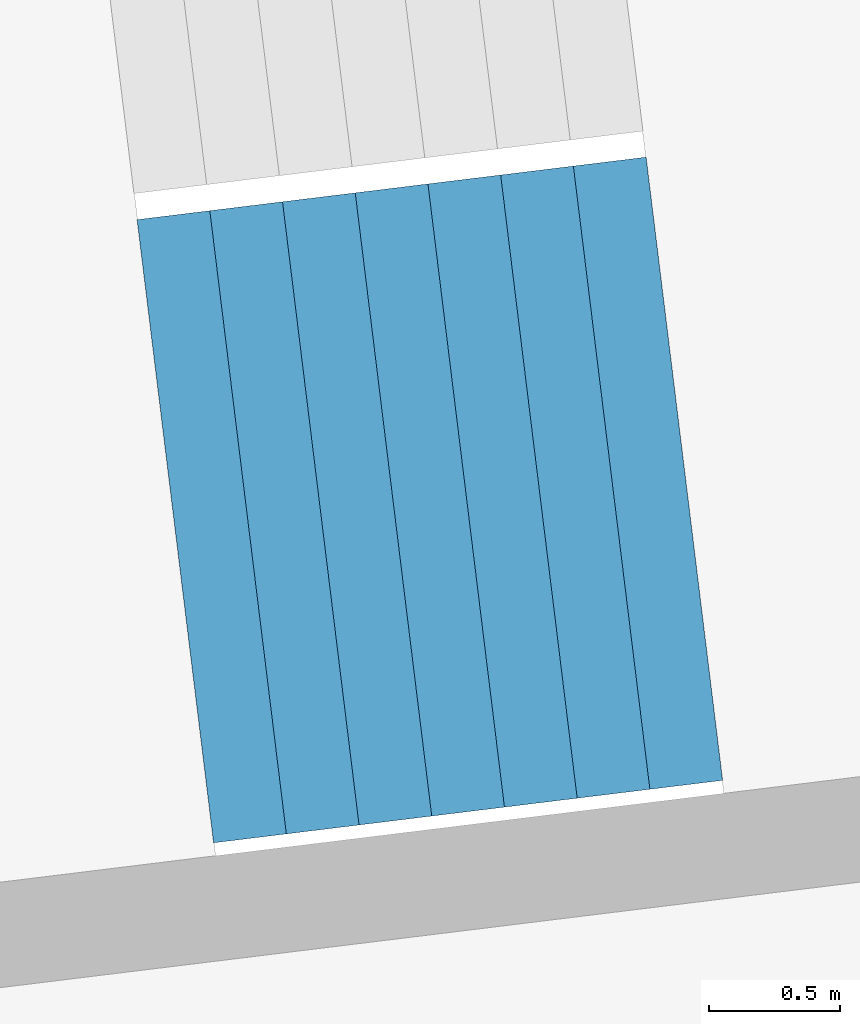
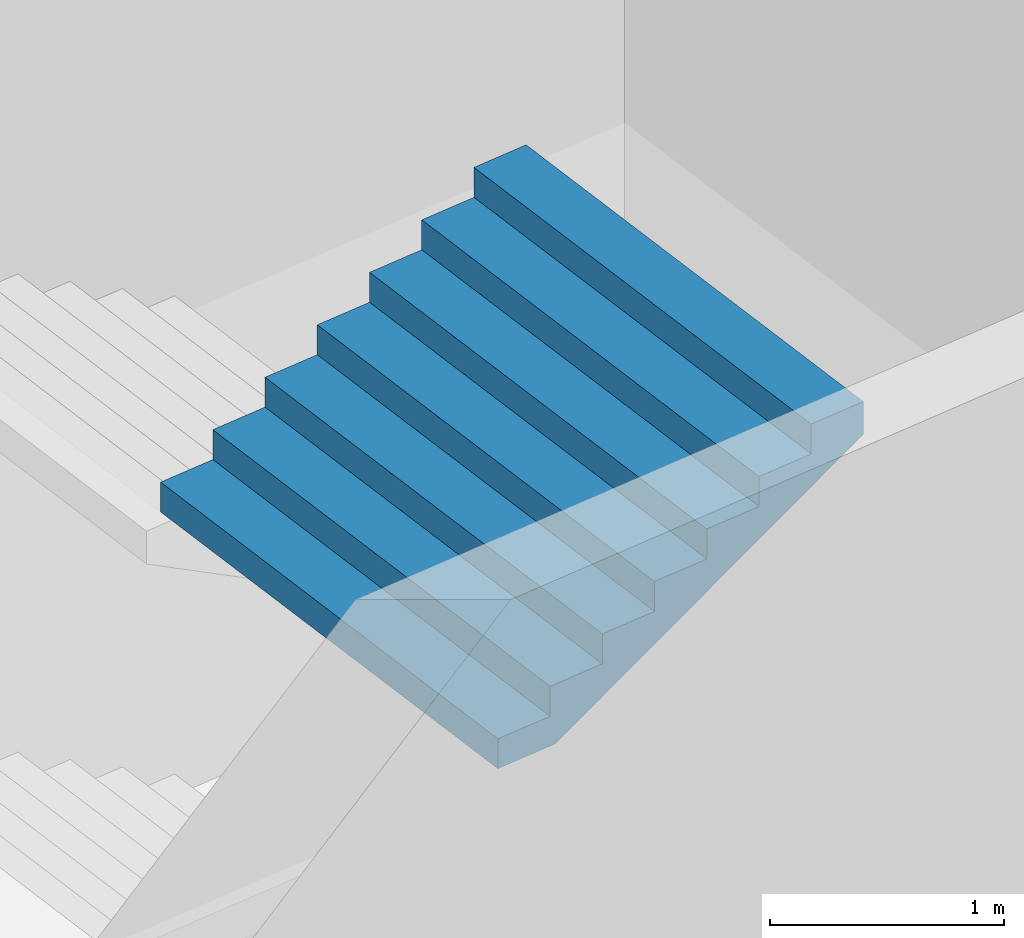
# One storey, part 24 of 73: 1 stair flight, 1 element without a shape of its own.
"""IFC4 building model written with IfcOpenShell, lengths in metres."""

from ifc_helpers import new_model, si_unit, direction, frame, origin, place, context, subcontext, project, spatial, triangles, material, type_object, element, aggregate, save


model = new_model("IFC4")

# Units and contexts
model_context = context("Model", 3, precision=1e-05, world=origin(), true_north=direction((0.0, 1.0)))
body_context = subcontext(model_context, "Body", "Model", "MODEL_VIEW")
ifc_project = project(units=[si_unit("LENGTHUNIT", "METRE"), si_unit("AREAUNIT", "SQUARE_METRE"), si_unit("VOLUMEUNIT", "CUBIC_METRE"), si_unit("PLANEANGLEUNIT", "RADIAN"), si_unit("MASSUNIT", "GRAM", prefix="KILO")], contexts=[model_context])

# Site, building, storey
site_placement = place(None, origin())
site = spatial("IfcSite", under=ifc_project, at=site_placement, CompositionType="ELEMENT")
building_placement = place(site_placement, origin())
building = spatial("IfcBuilding", under=site, at=building_placement, Name="Lantaw Convention Tower", CompositionType="ELEMENT")
storey_placement = place(building_placement, frame((0.0, 0.0, 27.0)))
storey = spatial("IfcBuildingStorey", under=building, at=storey_placement, Name="L04", CompositionType="ELEMENT", Elevation=27.0)

# Stair, stair flight
ifc_material = material(Name="Concrete C35/45", Category="concrete")
stair_type = type_object("IfcStairType", Name="Exit stair 2400 riser 156.25 in 4 flights", PredefinedType="HALF_TURN_STAIR", material=ifc_material)
stair_placement = place(storey_placement, origin())
stair = element("IfcStair", 1, at=stair_placement, inside=storey, type_object=stair_type, Name="Podium exit stair P10 L04", PredefinedType="HALF_TURN_STAIR")
stair_flight_type = type_object("IfcStairFlightType", Name="Stair flight 2400 riser 156.25", PredefinedType="STRAIGHT", material=ifc_material)
stair_flight_placement = place(storey_placement, frame((-36.802978515625, -5.7783203125, 3.75), z_axis=(0.0, 0.0, 1.0), x_axis=(0.992546151641, 0.121869343405, 0.0)))
stair_flight = element("IfcStairFlight", 2, at=stair_flight_placement, type_object=stair_flight_type, Name="P10 flight 4", NumberOfRisers=8, NumberOfTreads=7, PredefinedType="STRAIGHT", RiserHeight=0.15625, TreadLength=0.28, context=body_context, shape_type="Tessellation", body=[
    triangles([(0.0, 1.199951171875, 0.0), (0.0, 1.199951171875, 0.15625), (0.28, 1.199951171875, 0.0), (0.28, 1.199951171875, 0.15625), (0.28, 1.199951171875, 0.3125), (0.3076200632058044, 1.199951171875, 0.0), (0.3076200632058044, 1.199951171875, 0.3125), (0.56, 1.199951171875, 0.14083701830033238), (0.56, 1.199951171875, 0.3125), (0.56, 1.199951171875, 0.46875), (0.8400000000000001, 1.199951171875, 0.29708701830033235), (0.8400000000000001, 1.199951171875, 0.46875), (0.8400000000000001, 1.199951171875, 0.625), (1.12, 1.199951171875, 0.45333701830033235), (1.12, 1.199951171875, 0.625), (1.12, 1.199951171875, 0.78125), (1.4000000000000001, 1.199951171875, 0.6095870183003324), (1.4000000000000001, 1.199951171875, 0.78125), (1.4000000000000001, 1.199951171875, 0.9375), (1.6800000000000002, 1.199951171875, 0.7658370183003324), (1.6800000000000002, 1.199951171875, 0.9375), (1.6800000000000002, 1.199951171875, 1.09375), (1.9600000000000002, 1.199951171875, 0.9220870183003324), (1.9600000000000002, 1.199951171875, 1.09375), (0.0, -1.199951171875, 0.0), (0.0, -1.199951171875, 0.15625), (0.28, -1.199951171875, 0.0), (0.28, -1.199951171875, 0.15625), (0.28, -1.199951171875, 0.3125), (0.3076200632058044, -1.199951171875, 0.0), (0.3076200632058044, -1.199951171875, 0.3125), (0.56, -1.199951171875, 0.14083701830033238), (0.56, -1.199951171875, 0.3125), (0.56, -1.199951171875, 0.46875), (0.8400000000000001, -1.199951171875, 0.29708701830033235), (0.8400000000000001, -1.199951171875, 0.46875), (0.8400000000000001, -1.199951171875, 0.625), (1.12, -1.199951171875, 0.45333701830033235), (1.12, -1.199951171875, 0.625), (1.12, -1.199951171875, 0.78125), (1.4000000000000001, -1.199951171875, 0.6095870183003324), (1.4000000000000001, -1.199951171875, 0.78125), (1.4000000000000001, -1.199951171875, 0.9375), (1.6800000000000002, -1.199951171875, 0.7658370183003324), (1.6800000000000002, -1.199951171875, 0.9375), (1.6800000000000002, -1.199951171875, 1.09375), (1.9600000000000002, -1.199951171875, 0.9220870183003324), (1.9600000000000002, -1.199951171875, 1.09375), (0.0, 0.239990234375, 0.15625), (0.0, 0.239990234375, 0.0), (0.0, 0.1919921875, 0.15625), (0.0, 0.1919921875, 0.0), (0.0, 0.143994140625, 0.15625), (0.0, 0.143994140625, 0.0), (0.0, 0.09599609375, 0.15625), (0.0, 0.09599609375, 0.0), (0.0, 0.047998046875, 0.15625), (0.0, 0.047998046875, 0.0), (0.0, 0.0, 0.15625), (0.0, 0.0, 0.0), (0.0, -0.047998046875, 0.15625), (0.0, -0.047998046875, 0.0), (0.0, -0.09599609375, 0.15625), (0.0, -0.09599609375, 0.0), (0.0, -0.143994140625, 0.15625), (0.0, -0.143994140625, 0.0), (0.0, -0.1919921875, 0.15625), (0.0, -0.1919921875, 0.0), (0.0, -0.239990234375, 0.15625), (0.0, -0.239990234375, 0.0), (0.28, 0.239990234375, 0.3125), (0.28, 0.239990234375, 0.15625), (0.28, 0.1919921875, 0.3125), (0.28, 0.1919921875, 0.15625), (0.28, 0.143994140625, 0.3125), (0.28, 0.143994140625, 0.15625), (0.28, 0.09599609375, 0.3125), (0.28, 0.09599609375, 0.15625), (0.28, 0.047998046875, 0.3125), (0.28, 0.047998046875, 0.15625), (0.28, 0.0, 0.3125), (0.28, 0.0, 0.15625), (0.28, -0.047998046875, 0.3125), (0.28, -0.047998046875, 0.15625), (0.28, -0.09599609375, 0.3125), (0.28, -0.09599609375, 0.15625), (0.28, -0.143994140625, 0.3125), (0.28, -0.143994140625, 0.15625), (0.28, -0.1919921875, 0.3125), (0.28, -0.1919921875, 0.15625), (0.28, -0.239990234375, 0.3125), (0.28, -0.239990234375, 0.15625), (0.56, 0.239990234375, 0.46875), (0.56, 0.239990234375, 0.3125), (0.56, 0.1919921875, 0.46875), (0.56, 0.1919921875, 0.3125), (0.56, 0.143994140625, 0.46875), (0.56, 0.143994140625, 0.3125), (0.56, 0.09599609375, 0.46875), (0.56, 0.09599609375, 0.3125), (0.56, 0.047998046875, 0.46875), (0.56, 0.047998046875, 0.3125), (0.56, 0.0, 0.46875), (0.56, 0.0, 0.3125), (0.56, -0.047998046875, 0.46875), (0.56, -0.047998046875, 0.3125), (0.56, -0.09599609375, 0.46875), (0.56, -0.09599609375, 0.3125), (0.56, -0.143994140625, 0.46875), (0.56, -0.143994140625, 0.3125), (0.56, -0.1919921875, 0.46875), (0.56, -0.1919921875, 0.3125), (0.56, -0.239990234375, 0.46875), (0.56, -0.239990234375, 0.3125), (0.8400000000000001, 0.239990234375, 0.625), (0.8400000000000001, 0.239990234375, 0.46875), (0.8400000000000001, 0.1919921875, 0.625), (0.8400000000000001, 0.1919921875, 0.46875), (0.8400000000000001, 0.143994140625, 0.625), (0.8400000000000001, 0.143994140625, 0.46875), (0.8400000000000001, 0.09599609375, 0.625), (0.8400000000000001, 0.09599609375, 0.46875), (0.8400000000000001, 0.047998046875, 0.625), (0.8400000000000001, 0.047998046875, 0.46875), (0.8400000000000001, 0.0, 0.625), (0.8400000000000001, 0.0, 0.46875), (0.8400000000000001, -0.047998046875, 0.625), (0.8400000000000001, -0.047998046875, 0.46875), (0.8400000000000001, -0.09599609375, 0.625), (0.8400000000000001, -0.09599609375, 0.46875), (0.8400000000000001, -0.143994140625, 0.625), (0.8400000000000001, -0.143994140625, 0.46875), (0.8400000000000001, -0.1919921875, 0.625), (0.8400000000000001, -0.1919921875, 0.46875), (0.8400000000000001, -0.239990234375, 0.625), (0.8400000000000001, -0.239990234375, 0.46875), (1.12, 0.239990234375, 0.78125), (1.12, 0.239990234375, 0.625), (1.12, 0.1919921875, 0.78125), (1.12, 0.1919921875, 0.625), (1.12, 0.143994140625, 0.78125), (1.12, 0.143994140625, 0.625), (1.12, 0.09599609375, 0.78125), (1.12, 0.09599609375, 0.625), (1.12, 0.047998046875, 0.78125), (1.12, 0.047998046875, 0.625), (1.12, 0.0, 0.78125), (1.12, 0.0, 0.625), (1.12, -0.047998046875, 0.78125), (1.12, -0.047998046875, 0.625), (1.12, -0.09599609375, 0.78125), (1.12, -0.09599609375, 0.625), (1.12, -0.143994140625, 0.78125), (1.12, -0.143994140625, 0.625), (1.12, -0.1919921875, 0.78125), (1.12, -0.1919921875, 0.625), (1.12, -0.239990234375, 0.78125), (1.12, -0.239990234375, 0.625), (1.4000000000000001, 0.239990234375, 0.9375), (1.4000000000000001, 0.239990234375, 0.78125), (1.4000000000000001, 0.1919921875, 0.9375), (1.4000000000000001, 0.1919921875, 0.78125), (1.4000000000000001, 0.143994140625, 0.9375), (1.4000000000000001, 0.143994140625, 0.78125), (1.4000000000000001, 0.09599609375, 0.9375), (1.4000000000000001, 0.09599609375, 0.78125), (1.4000000000000001, 0.047998046875, 0.9375), (1.4000000000000001, 0.047998046875, 0.78125), (1.4000000000000001, 0.0, 0.9375), (1.4000000000000001, 0.0, 0.78125), (1.4000000000000001, -0.047998046875, 0.9375), (1.4000000000000001, -0.047998046875, 0.78125), (1.4000000000000001, -0.09599609375, 0.9375), (1.4000000000000001, -0.09599609375, 0.78125), (1.4000000000000001, -0.143994140625, 0.9375), (1.4000000000000001, -0.143994140625, 0.78125), (1.4000000000000001, -0.1919921875, 0.9375), (1.4000000000000001, -0.1919921875, 0.78125), (1.4000000000000001, -0.239990234375, 0.9375), (1.4000000000000001, -0.239990234375, 0.78125), (1.6800000000000002, 0.239990234375, 1.09375), (1.6800000000000002, 0.239990234375, 0.9375), (1.6800000000000002, 0.1919921875, 1.09375), (1.6800000000000002, 0.1919921875, 0.9375), (1.6800000000000002, 0.143994140625, 1.09375), (1.6800000000000002, 0.143994140625, 0.9375), (1.6800000000000002, 0.09599609375, 1.09375), (1.6800000000000002, 0.09599609375, 0.9375), (1.6800000000000002, 0.047998046875, 1.09375), (1.6800000000000002, 0.047998046875, 0.9375), (1.6800000000000002, 0.0, 1.09375), (1.6800000000000002, 0.0, 0.9375), (1.6800000000000002, -0.047998046875, 1.09375), (1.6800000000000002, -0.047998046875, 0.9375), (1.6800000000000002, -0.09599609375, 1.09375), (1.6800000000000002, -0.09599609375, 0.9375), (1.6800000000000002, -0.143994140625, 1.09375), (1.6800000000000002, -0.143994140625, 0.9375), (1.6800000000000002, -0.1919921875, 1.09375), (1.6800000000000002, -0.1919921875, 0.9375), (1.6800000000000002, -0.239990234375, 1.09375), (1.6800000000000002, -0.239990234375, 0.9375), (0.3076200632058044, 0.239990234375, 0.3125), (0.3076200632058044, 0.1919921875, 0.3125), (0.3076200632058044, 0.143994140625, 0.3125), (0.3076200632058044, 0.09599609375, 0.3125), (0.3076200632058044, 0.047998046875, 0.3125), (0.3076200632058044, 0.0, 0.3125), (0.3076200632058044, -0.047998046875, 0.3125), (0.3076200632058044, -0.09599609375, 0.3125), (0.3076200632058044, -0.143994140625, 0.3125), (0.3076200632058044, -0.1919921875, 0.3125), (0.3076200632058044, -0.239990234375, 0.3125), (1.9600000000000002, 0.239990234375, 1.09375), (1.9600000000000002, 0.1919921875, 1.09375), (1.9600000000000002, 0.143994140625, 1.09375), (1.9600000000000002, 0.09599609375, 1.09375), (1.9600000000000002, 0.047998046875, 1.09375), (1.9600000000000002, 0.0, 1.09375), (1.9600000000000002, -0.047998046875, 1.09375), (1.9600000000000002, -0.09599609375, 1.09375), (1.9600000000000002, -0.143994140625, 1.09375), (1.9600000000000002, -0.1919921875, 1.09375), (1.9600000000000002, -0.239990234375, 1.09375), (1.9600000000000002, 0.239990234375, 0.9220870183003324), (1.9600000000000002, 0.1919921875, 0.9220870183003324), (1.9600000000000002, 0.143994140625, 0.9220870183003324), (1.9600000000000002, 0.09599609375, 0.9220870183003324), (1.9600000000000002, 0.047998046875, 0.9220870183003324), (1.9600000000000002, 0.0, 0.9220870183003324), (1.9600000000000002, -0.047998046875, 0.9220870183003324), (1.9600000000000002, -0.09599609375, 0.9220870183003324), (1.9600000000000002, -0.143994140625, 0.9220870183003324), (1.9600000000000002, -0.1919921875, 0.9220870183003324), (1.9600000000000002, -0.239990234375, 0.9220870183003324), (1.6800000000000002, 0.239990234375, 0.7658370183003324), (1.6800000000000002, 0.1919921875, 0.7658370183003324), (1.6800000000000002, 0.143994140625, 0.7658370183003324), (1.6800000000000002, 0.09599609375, 0.7658370183003324), (1.6800000000000002, 0.047998046875, 0.7658370183003324), (1.6800000000000002, 0.0, 0.7658370183003324), (1.6800000000000002, -0.047998046875, 0.7658370183003324), (1.6800000000000002, -0.09599609375, 0.7658370183003324), (1.6800000000000002, -0.143994140625, 0.7658370183003324), (1.6800000000000002, -0.1919921875, 0.7658370183003324), (1.6800000000000002, -0.239990234375, 0.7658370183003324), (1.4000000000000001, 0.239990234375, 0.6095870183003324), (1.4000000000000001, 0.1919921875, 0.6095870183003324), (1.4000000000000001, 0.143994140625, 0.6095870183003324), (1.4000000000000001, 0.09599609375, 0.6095870183003324), (1.4000000000000001, 0.047998046875, 0.6095870183003324), (1.4000000000000001, 0.0, 0.6095870183003324), (1.4000000000000001, -0.047998046875, 0.6095870183003324), (1.4000000000000001, -0.09599609375, 0.6095870183003324), (1.4000000000000001, -0.143994140625, 0.6095870183003324), (1.4000000000000001, -0.1919921875, 0.6095870183003324), (1.4000000000000001, -0.239990234375, 0.6095870183003324), (1.12, 0.239990234375, 0.45333701830033235), (1.12, 0.1919921875, 0.45333701830033235), (1.12, 0.143994140625, 0.45333701830033235), (1.12, 0.09599609375, 0.45333701830033235), (1.12, 0.047998046875, 0.45333701830033235), (1.12, 0.0, 0.45333701830033235), (1.12, -0.047998046875, 0.45333701830033235), (1.12, -0.09599609375, 0.45333701830033235), (1.12, -0.143994140625, 0.45333701830033235), (1.12, -0.1919921875, 0.45333701830033235), (1.12, -0.239990234375, 0.45333701830033235), (0.8400000000000001, 0.239990234375, 0.29708701830033235), (0.8400000000000001, 0.1919921875, 0.29708701830033235), (0.8400000000000001, 0.143994140625, 0.29708701830033235), (0.8400000000000001, 0.09599609375, 0.29708701830033235), (0.8400000000000001, 0.047998046875, 0.29708701830033235), (0.8400000000000001, 0.0, 0.29708701830033235), (0.8400000000000001, -0.047998046875, 0.29708701830033235), (0.8400000000000001, -0.09599609375, 0.29708701830033235), (0.8400000000000001, -0.143994140625, 0.29708701830033235), (0.8400000000000001, -0.1919921875, 0.29708701830033235), (0.8400000000000001, -0.239990234375, 0.29708701830033235), (0.56, 0.239990234375, 0.14083701830033238), (0.56, 0.1919921875, 0.14083701830033238), (0.56, 0.143994140625, 0.14083701830033238), (0.56, 0.09599609375, 0.14083701830033238), (0.56, 0.047998046875, 0.14083701830033238), (0.56, 0.0, 0.14083701830033238), (0.56, -0.047998046875, 0.14083701830033238), (0.56, -0.09599609375, 0.14083701830033238), (0.56, -0.143994140625, 0.14083701830033238), (0.56, -0.1919921875, 0.14083701830033238), (0.56, -0.239990234375, 0.14083701830033238), (0.3076200632058044, 0.239990234375, 0.0), (0.3076200632058044, 0.1919921875, 0.0), (0.3076200632058044, 0.143994140625, 0.0), (0.3076200632058044, 0.09599609375, 0.0), (0.3076200632058044, 0.047998046875, 0.0), (0.3076200632058044, 0.0, 0.0), (0.3076200632058044, -0.047998046875, 0.0), (0.3076200632058044, -0.09599609375, 0.0), (0.3076200632058044, -0.143994140625, 0.0), (0.3076200632058044, -0.1919921875, 0.0), (0.3076200632058044, -0.239990234375, 0.0), (0.28, 0.239990234375, 0.0), (0.28, 0.1919921875, 0.0), (0.28, 0.143994140625, 0.0), (0.28, 0.09599609375, 0.0), (0.28, 0.047998046875, 0.0), (0.28, 0.0, 0.0), (0.28, -0.047998046875, 0.0), (0.28, -0.09599609375, 0.0), (0.28, -0.143994140625, 0.0), (0.28, -0.1919921875, 0.0), (0.28, -0.239990234375, 0.0)], [[1, 4, 3], [1, 2, 4], [3, 4, 6], [4, 7, 6], [4, 5, 7], [6, 9, 8], [6, 7, 9], [8, 9, 11], [9, 12, 11], [9, 10, 12], [11, 12, 14], [12, 15, 14], [12, 13, 15], [14, 15, 17], [15, 18, 17], [15, 16, 18], [17, 18, 20], [18, 21, 20], [18, 19, 21], [20, 21, 23], [21, 24, 23], [21, 22, 24], [25, 27, 28], [25, 28, 26], [27, 30, 28], [28, 30, 31], [28, 31, 29], [30, 32, 33], [30, 33, 31], [32, 35, 33], [33, 35, 36], [33, 36, 34], [35, 38, 36], [36, 38, 39], [36, 39, 37], [38, 41, 39], [39, 41, 42], [39, 42, 40], [41, 44, 42], [42, 44, 45], [42, 45, 43], [44, 47, 45], [45, 47, 48], [45, 48, 46], [1, 49, 2], [1, 50, 49], [50, 51, 49], [50, 52, 51], [52, 53, 51], [52, 54, 53], [54, 55, 53], [54, 56, 55], [56, 57, 55], [56, 58, 57], [58, 59, 57], [58, 60, 59], [60, 61, 59], [60, 62, 61], [62, 63, 61], [62, 64, 63], [64, 65, 63], [64, 66, 65], [66, 67, 65], [66, 68, 67], [68, 69, 67], [68, 70, 69], [70, 26, 69], [70, 25, 26], [4, 71, 5], [4, 72, 71], [72, 73, 71], [72, 74, 73], [74, 75, 73], [74, 76, 75], [76, 77, 75], [76, 78, 77], [78, 79, 77], [78, 80, 79], [80, 81, 79], [80, 82, 81], [82, 83, 81], [82, 84, 83], [84, 85, 83], [84, 86, 85], [86, 87, 85], [86, 88, 87], [88, 89, 87], [88, 90, 89], [90, 91, 89], [90, 92, 91], [92, 29, 91], [92, 28, 29], [9, 93, 10], [9, 94, 93], [94, 95, 93], [94, 96, 95], [96, 97, 95], [96, 98, 97], [98, 99, 97], [98, 100, 99], [100, 101, 99], [100, 102, 101], [102, 103, 101], [102, 104, 103], [104, 105, 103], [104, 106, 105], [106, 107, 105], [106, 108, 107], [108, 109, 107], [108, 110, 109], [110, 111, 109], [110, 112, 111], [112, 113, 111], [112, 114, 113], [114, 34, 113], [114, 33, 34], [12, 115, 13], [12, 116, 115], [116, 117, 115], [116, 118, 117], [118, 119, 117], [118, 120, 119], [120, 121, 119], [120, 122, 121], [122, 123, 121], [122, 124, 123], [124, 125, 123], [124, 126, 125], [126, 127, 125], [126, 128, 127], [128, 129, 127], [128, 130, 129], [130, 131, 129], [130, 132, 131], [132, 133, 131], [132, 134, 133], [134, 135, 133], [134, 136, 135], [136, 37, 135], [136, 36, 37], [15, 137, 16], [15, 138, 137], [138, 139, 137], [138, 140, 139], [140, 141, 139], [140, 142, 141], [142, 143, 141], [142, 144, 143], [144, 145, 143], [144, 146, 145], [146, 147, 145], [146, 148, 147], [148, 149, 147], [148, 150, 149], [150, 151, 149], [150, 152, 151], [152, 153, 151], [152, 154, 153], [154, 155, 153], [154, 156, 155], [156, 157, 155], [156, 158, 157], [158, 40, 157], [158, 39, 40], [18, 159, 19], [18, 160, 159], [160, 161, 159], [160, 162, 161], [162, 163, 161], [162, 164, 163], [164, 165, 163], [164, 166, 165], [166, 167, 165], [166, 168, 167], [168, 169, 167], [168, 170, 169], [170, 171, 169], [170, 172, 171], [172, 173, 171], [172, 174, 173], [174, 175, 173], [174, 176, 175], [176, 177, 175], [176, 178, 177], [178, 179, 177], [178, 180, 179], [180, 43, 179], [180, 42, 43], [21, 181, 22], [21, 182, 181], [182, 183, 181], [182, 184, 183], [184, 185, 183], [184, 186, 185], [186, 187, 185], [186, 188, 187], [188, 189, 187], [188, 190, 189], [190, 191, 189], [190, 192, 191], [192, 193, 191], [192, 194, 193], [194, 195, 193], [194, 196, 195], [196, 197, 195], [196, 198, 197], [198, 199, 197], [198, 200, 199], [200, 201, 199], [200, 202, 201], [202, 46, 201], [202, 45, 46], [2, 72, 4], [2, 49, 72], [49, 74, 72], [49, 51, 74], [51, 76, 74], [51, 53, 76], [53, 78, 76], [53, 55, 78], [55, 80, 78], [55, 57, 80], [57, 82, 80], [57, 59, 82], [59, 84, 82], [59, 61, 84], [61, 86, 84], [61, 63, 86], [63, 88, 86], [63, 65, 88], [65, 90, 88], [65, 67, 90], [67, 92, 90], [67, 69, 92], [69, 28, 92], [69, 26, 28], [5, 203, 7], [5, 71, 203], [71, 204, 203], [71, 73, 204], [73, 205, 204], [73, 75, 205], [75, 206, 205], [75, 77, 206], [77, 207, 206], [77, 79, 207], [79, 208, 207], [79, 81, 208], [81, 209, 208], [81, 83, 209], [83, 210, 209], [83, 85, 210], [85, 211, 210], [85, 87, 211], [87, 212, 211], [87, 89, 212], [89, 213, 212], [89, 91, 213], [91, 31, 213], [91, 29, 31], [7, 94, 9], [7, 203, 94], [203, 96, 94], [203, 204, 96], [204, 98, 96], [204, 205, 98], [205, 100, 98], [205, 206, 100], [206, 102, 100], [206, 207, 102], [207, 104, 102], [207, 208, 104], [208, 106, 104], [208, 209, 106], [209, 108, 106], [209, 210, 108], [210, 110, 108], [210, 211, 110], [211, 112, 110], [211, 212, 112], [212, 114, 112], [212, 213, 114], [213, 33, 114], [213, 31, 33], [10, 116, 12], [10, 93, 116], [93, 118, 116], [93, 95, 118], [95, 120, 118], [95, 97, 120], [97, 122, 120], [97, 99, 122], [99, 124, 122], [99, 101, 124], [101, 126, 124], [101, 103, 126], [103, 128, 126], [103, 105, 128], [105, 130, 128], [105, 107, 130], [107, 132, 130], [107, 109, 132], [109, 134, 132], [109, 111, 134], [111, 136, 134], [111, 113, 136], [113, 36, 136], [113, 34, 36], [13, 138, 15], [13, 115, 138], [115, 140, 138], [115, 117, 140], [117, 142, 140], [117, 119, 142], [119, 144, 142], [119, 121, 144], [121, 146, 144], [121, 123, 146], [123, 148, 146], [123, 125, 148], [125, 150, 148], [125, 127, 150], [127, 152, 150], [127, 129, 152], [129, 154, 152], [129, 131, 154], [131, 156, 154], [131, 133, 156], [133, 158, 156], [133, 135, 158], [135, 39, 158], [135, 37, 39], [16, 160, 18], [16, 137, 160], [137, 162, 160], [137, 139, 162], [139, 164, 162], [139, 141, 164], [141, 166, 164], [141, 143, 166], [143, 168, 166], [143, 145, 168], [145, 170, 168], [145, 147, 170], [147, 172, 170], [147, 149, 172], [149, 174, 172], [149, 151, 174], [151, 176, 174], [151, 153, 176], [153, 178, 176], [153, 155, 178], [155, 180, 178], [155, 157, 180], [157, 42, 180], [157, 40, 42], [19, 182, 21], [19, 159, 182], [159, 184, 182], [159, 161, 184], [161, 186, 184], [161, 163, 186], [163, 188, 186], [163, 165, 188], [165, 190, 188], [165, 167, 190], [167, 192, 190], [167, 169, 192], [169, 194, 192], [169, 171, 194], [171, 196, 194], [171, 173, 196], [173, 198, 196], [173, 175, 198], [175, 200, 198], [175, 177, 200], [177, 202, 200], [177, 179, 202], [179, 45, 202], [179, 43, 45], [22, 214, 24], [22, 181, 214], [181, 215, 214], [181, 183, 215], [183, 216, 215], [183, 185, 216], [185, 217, 216], [185, 187, 217], [187, 218, 217], [187, 189, 218], [189, 219, 218], [189, 191, 219], [191, 220, 219], [191, 193, 220], [193, 221, 220], [193, 195, 221], [195, 222, 221], [195, 197, 222], [197, 223, 222], [197, 199, 223], [199, 224, 223], [199, 201, 224], [201, 48, 224], [201, 46, 48], [24, 225, 23], [24, 214, 225], [214, 226, 225], [214, 215, 226], [215, 227, 226], [215, 216, 227], [216, 228, 227], [216, 217, 228], [217, 229, 228], [217, 218, 229], [218, 230, 229], [218, 219, 230], [219, 231, 230], [219, 220, 231], [220, 232, 231], [220, 221, 232], [221, 233, 232], [221, 222, 233], [222, 234, 233], [222, 223, 234], [223, 235, 234], [223, 224, 235], [224, 47, 235], [224, 48, 47], [23, 236, 20], [23, 225, 236], [225, 237, 236], [225, 226, 237], [226, 238, 237], [226, 227, 238], [227, 239, 238], [227, 228, 239], [228, 240, 239], [228, 229, 240], [229, 241, 240], [229, 230, 241], [230, 242, 241], [230, 231, 242], [231, 243, 242], [231, 232, 243], [232, 244, 243], [232, 233, 244], [233, 245, 244], [233, 234, 245], [234, 246, 245], [234, 235, 246], [235, 44, 246], [235, 47, 44], [20, 247, 17], [20, 236, 247], [236, 248, 247], [236, 237, 248], [237, 249, 248], [237, 238, 249], [238, 250, 249], [238, 239, 250], [239, 251, 250], [239, 240, 251], [240, 252, 251], [240, 241, 252], [241, 253, 252], [241, 242, 253], [242, 254, 253], [242, 243, 254], [243, 255, 254], [243, 244, 255], [244, 256, 255], [244, 245, 256], [245, 257, 256], [245, 246, 257], [246, 41, 257], [246, 44, 41], [17, 258, 14], [17, 247, 258], [247, 259, 258], [247, 248, 259], [248, 260, 259], [248, 249, 260], [249, 261, 260], [249, 250, 261], [250, 262, 261], [250, 251, 262], [251, 263, 262], [251, 252, 263], [252, 264, 263], [252, 253, 264], [253, 265, 264], [253, 254, 265], [254, 266, 265], [254, 255, 266], [255, 267, 266], [255, 256, 267], [256, 268, 267], [256, 257, 268], [257, 38, 268], [257, 41, 38], [14, 269, 11], [14, 258, 269], [258, 270, 269], [258, 259, 270], [259, 271, 270], [259, 260, 271], [260, 272, 271], [260, 261, 272], [261, 273, 272], [261, 262, 273], [262, 274, 273], [262, 263, 274], [263, 275, 274], [263, 264, 275], [264, 276, 275], [264, 265, 276], [265, 277, 276], [265, 266, 277], [266, 278, 277], [266, 267, 278], [267, 279, 278], [267, 268, 279], [268, 35, 279], [268, 38, 35], [11, 280, 8], [11, 269, 280], [269, 281, 280], [269, 270, 281], [270, 282, 281], [270, 271, 282], [271, 283, 282], [271, 272, 283], [272, 284, 283], [272, 273, 284], [273, 285, 284], [273, 274, 285], [274, 286, 285], [274, 275, 286], [275, 287, 286], [275, 276, 287], [276, 288, 287], [276, 277, 288], [277, 289, 288], [277, 278, 289], [278, 290, 289], [278, 279, 290], [279, 32, 290], [279, 35, 32], [8, 291, 6], [8, 280, 291], [280, 292, 291], [280, 281, 292], [281, 293, 292], [281, 282, 293], [282, 294, 293], [282, 283, 294], [283, 295, 294], [283, 284, 295], [284, 296, 295], [284, 285, 296], [285, 297, 296], [285, 286, 297], [286, 298, 297], [286, 287, 298], [287, 299, 298], [287, 288, 299], [288, 300, 299], [288, 289, 300], [289, 301, 300], [289, 290, 301], [290, 30, 301], [290, 32, 30], [6, 302, 3], [6, 291, 302], [291, 303, 302], [291, 292, 303], [292, 304, 303], [292, 293, 304], [293, 305, 304], [293, 294, 305], [294, 306, 305], [294, 295, 306], [295, 307, 306], [295, 296, 307], [296, 308, 307], [296, 297, 308], [297, 309, 308], [297, 298, 309], [298, 310, 309], [298, 299, 310], [299, 311, 310], [299, 300, 311], [300, 312, 311], [300, 301, 312], [301, 27, 312], [301, 30, 27], [3, 50, 1], [3, 302, 50], [302, 52, 50], [302, 303, 52], [303, 54, 52], [303, 304, 54], [304, 56, 54], [304, 305, 56], [305, 58, 56], [305, 306, 58], [306, 60, 58], [306, 307, 60], [307, 62, 60], [307, 308, 62], [308, 64, 62], [308, 309, 64], [309, 66, 64], [309, 310, 66], [310, 68, 66], [310, 311, 68], [311, 70, 68], [311, 312, 70], [312, 25, 70], [312, 27, 25]], closed=True),
])
aggregate(stair, [stair_flight])

save(model, "model.ifc")
